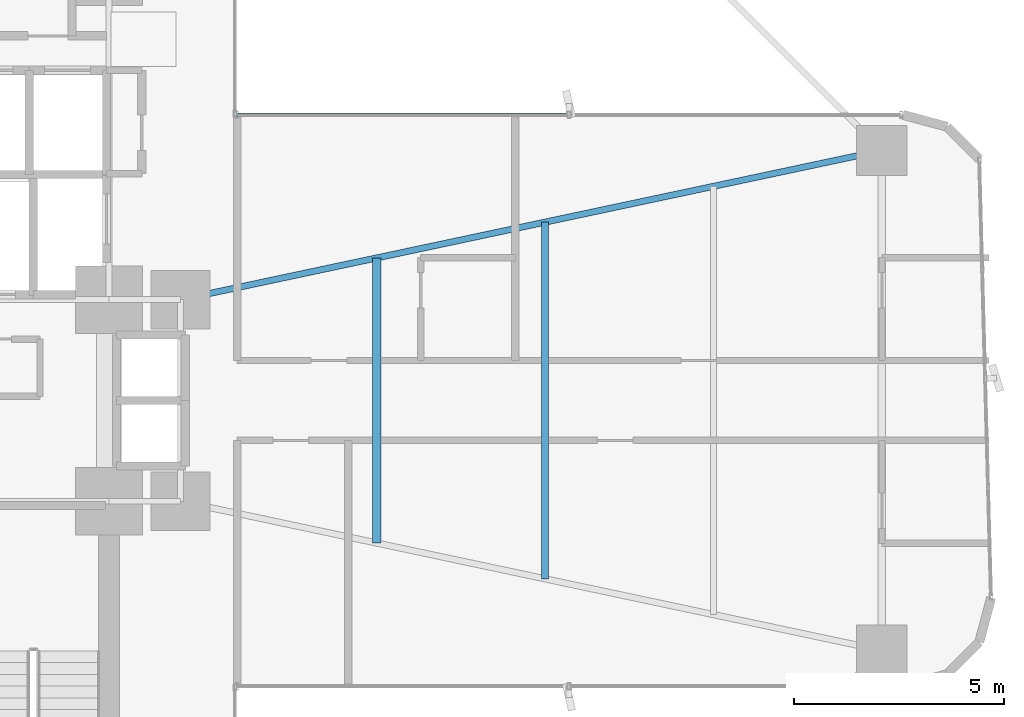
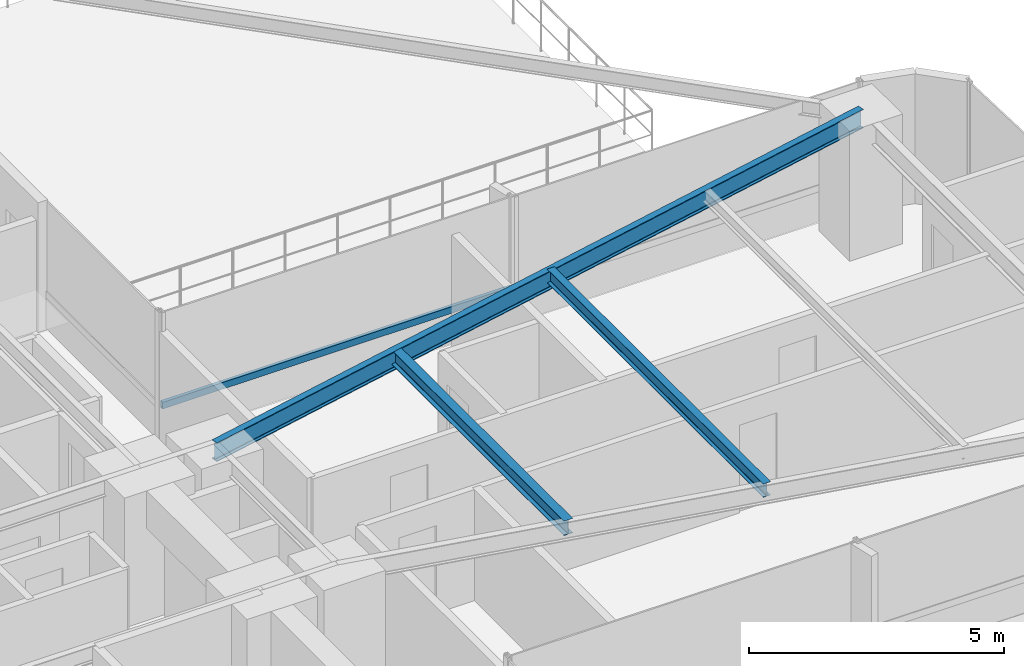
# One storey, part 14 of 27: 3 beams, 1 member, 1 element without a shape of its own.
"""IFC4 building model written with IfcOpenShell, lengths in metres."""

import ifcopenshell
import ifcopenshell.guid

model = None  # the IFC model being written
_history = None  # IfcOwnerHistory: only IFC2X3 demands one
_inside = {}  # id of a spatial element -> (the spatial element, [elements in it])
_under = {}  # id of a project, library or spatial element -> (it, [spatial elements below it])
_declared = {}  # id of a project -> (the project, [libraries it declares])
_typed = {}  # id of a type object -> (the type object, [elements of that type])
_made_of = {}  # id of a material, layer set ... -> (it, [elements and type objects made of it])


def new_model(schema):
    """Start an empty IFC model of exactly this schema.

    Asked for "IFC4X3", IfcOpenShell would pick the latest addendum, in which some entities
    have other attributes; the version numbers below select the first issue.
    IFC2X3 requires an IfcOwnerHistory on every rooted entity: one is made here for all.
    """
    global model, _history
    if schema == "IFC4X3":
        model = ifcopenshell.file(schema_version=(4, 3, 0, 0))
    else:
        model = ifcopenshell.file(schema=schema)
    _inside.clear()
    _under.clear()
    _declared.clear()
    _typed.clear()
    _made_of.clear()
    _history = None
    if model.schema == "IFC2X3":
        org = make("IfcOrganization", Name="unknown")
        user = make(
            "IfcPersonAndOrganization",
            ThePerson=make("IfcPerson", FamilyName="unknown"),
            TheOrganization=org,
        )
        app = make(
            "IfcApplication",
            ApplicationDeveloper=org,
            Version="unknown",
            ApplicationFullName="unknown",
            ApplicationIdentifier="unknown",
        )
        _history = make(
            "IfcOwnerHistory",
            OwningUser=user,
            OwningApplication=app,
            ChangeAction="ADDED",
            CreationDate=0,
        )
    return model


def make(cls, **values):
    """One entity of the class cls with the attributes given. An attribute that is None is left unset."""
    return model.create_entity(
        cls, **{name: value for name, value in values.items() if value is not None}
    )


def rooted(cls, **values):
    """An entity with a GlobalId (a new one), such as an element, a storey or a relation."""
    return make(cls, GlobalId=ifcopenshell.guid.new(), OwnerHistory=_history, **values)


def si_unit(unit_type, name, prefix=None):
    """IfcSIUnit, for example si_unit("LENGTHUNIT", "METRE", prefix="MILLI")."""
    return make("IfcSIUnit", UnitType=unit_type, Prefix=prefix, Name=name)


def assignment(units):
    """IfcUnitAssignment: the units of a project."""
    return None if units is None else make("IfcUnitAssignment", Units=units)


def point(xyz):
    """IfcCartesianPoint."""
    return None if xyz is None else make("IfcCartesianPoint", Coordinates=xyz)


def direction(xyz):
    """IfcDirection."""
    return None if xyz is None else make("IfcDirection", DirectionRatios=xyz)


def frame(location, z_axis=None, x_axis=None):
    """IfcAxis2Placement3D, a coordinate frame: its origin and axes. An axis left out is left unset."""
    return make(
        "IfcAxis2Placement3D",
        Location=point(location),
        Axis=direction(z_axis),
        RefDirection=direction(x_axis),
    )


def frame_2d(location, x_axis=None):
    """IfcAxis2Placement2D, a coordinate frame in the plane: its origin and x axis."""
    return make(
        "IfcAxis2Placement2D", Location=point(location), RefDirection=direction(x_axis)
    )


def origin():
    """The frame at (0, 0, 0) with its axes left unset."""
    return frame((0.0, 0.0, 0.0))


def origin_2d():
    """The frame at (0, 0) in the plane with its x axis left unset."""
    return frame_2d((0.0, 0.0))


def place(relative_to, where):
    """IfcLocalPlacement: puts the frame where relative to a parent placement (None: the world)."""
    return make(
        "IfcLocalPlacement", PlacementRelTo=relative_to, RelativePlacement=where
    )


def context(
    kind, dimensions, precision=None, world=None, true_north=None, identifier=None
):
    """IfcGeometricRepresentationContext, for example the 3D "Model" context."""
    return make(
        "IfcGeometricRepresentationContext",
        ContextIdentifier=identifier,
        ContextType=kind,
        CoordinateSpaceDimension=dimensions,
        Precision=precision,
        WorldCoordinateSystem=world,
        TrueNorth=true_north,
    )


def subcontext(parent, identifier, kind, view, scale=None):
    """IfcGeometricRepresentationSubContext, for example "Body" below "Model"."""
    return make(
        "IfcGeometricRepresentationSubContext",
        ContextIdentifier=identifier,
        ContextType=kind,
        ParentContext=parent,
        TargetScale=scale,
        TargetView=view,
    )


def project(units=None, contexts=None):
    """IfcProject with its units and contexts."""
    return rooted(
        "IfcProject",
        Name="project",
        RepresentationContexts=contexts,
        UnitsInContext=assignment(units),
    )


def spatial(cls, under=None, at=None, **own):
    """A site, building, storey or space (cls), placed at a placement, below another one or the project."""
    s = rooted(cls, ObjectPlacement=at, **own)
    if under is not None:
        _under.setdefault(under.id(), (under, []))[1].append(s)
    return s


def profile(cls, at=None, kind="AREA", **sizes):
    """A parametric profile (cls). Its sizes go by their IFC names, for example OverallWidth=200.0."""
    return make(cls, ProfileType=kind, Position=at, **sizes)


def hollow_rectangle(**sizes):
    """IfcRectangleHollowProfileDef."""
    return profile("IfcRectangleHollowProfileDef", **sizes)


def i_section(**sizes):
    """IfcIShapeProfileDef."""
    return profile("IfcIShapeProfileDef", **sizes)


def extrude(swept, where, along, depth):
    """IfcExtrudedAreaSolid: the profile swept, set in the frame where, extruded along a direction by depth."""
    return make(
        "IfcExtrudedAreaSolid",
        SweptArea=swept,
        Position=where,
        ExtrudedDirection=direction(along),
        Depth=depth,
    )


def shape(context_of_items, identifier, shape_type, items):
    """IfcShapeRepresentation: the items that make up one representation, for example the "Body"."""
    return make(
        "IfcShapeRepresentation",
        ContextOfItems=context_of_items,
        RepresentationIdentifier=identifier,
        RepresentationType=shape_type,
        Items=items,
    )


def source(mapping_origin, context_of_items, identifier, shape_type, items):
    """IfcRepresentationMap: a shape defined once, which mapped items show again and again."""
    return make(
        "IfcRepresentationMap",
        MappingOrigin=mapping_origin,
        MappedRepresentation=shape(context_of_items, identifier, shape_type, items),
    )


def transform(
    local_origin,
    x_axis=None,
    y_axis=None,
    z_axis=None,
    scale=None,
    scale2=None,
    scale3=None,
    uniform=True,
):
    """IfcCartesianTransformationOperator3D, or its non-uniform kind. x_axis, y_axis, z_axis: its Axis1, 2, 3."""
    if uniform:
        return make(
            "IfcCartesianTransformationOperator3D",
            Axis1=direction(x_axis),
            Axis2=direction(y_axis),
            LocalOrigin=point(local_origin),
            Scale=scale,
            Axis3=direction(z_axis),
        )
    return make(
        "IfcCartesianTransformationOperator3DnonUniform",
        Axis1=direction(x_axis),
        Axis2=direction(y_axis),
        LocalOrigin=point(local_origin),
        Scale=scale,
        Axis3=direction(z_axis),
        Scale2=scale2,
        Scale3=scale3,
    )


def mapped(mapping_source, mapping_target):
    """IfcMappedItem: shows the shape of a source again, moved by a transform."""
    return make(
        "IfcMappedItem", MappingSource=mapping_source, MappingTarget=mapping_target
    )


def material(Name=None, Category=None):
    """IfcMaterial."""
    return make("IfcMaterial", Name=Name, Category=Category)


def material_profile(
    of_material, cross_section, Name=None, Category=None, Priority=None
):
    """IfcMaterialProfile: a cross section and its material."""
    return make(
        "IfcMaterialProfile",
        Name=Name,
        Material=of_material,
        Profile=cross_section,
        Priority=Priority,
        Category=Category,
    )


def profile_set(profiles, Name=None, composite=None):
    """IfcMaterialProfileSet."""
    return make(
        "IfcMaterialProfileSet",
        Name=Name,
        MaterialProfiles=profiles,
        CompositeProfile=composite,
    )


def made_of(thing, what):
    """Note that an element or type object is made of a material, layer set ...; save() writes the relation."""
    if what is not None:
        _made_of.setdefault(what.id(), (what, []))[1].append(thing)
    return thing


def type_object(cls, material=None, **own):
    """A type object (cls), such as IfcWallType, which elements share."""
    return made_of(rooted(cls, **own), material)


def element(
    cls,
    number,
    at=None,
    inside=None,
    cuts=None,
    type_object=None,
    material=None,
    context=None,
    identifier="Body",
    shape_type=None,
    held_by="IfcProductDefinitionShape",
    body=None,
    shapes=None,
    **own,
):
    """One element of the class cls, such as IfcWall. Its Tag is "e" and its number.

    at: its placement. inside: the storey or other place that contains it. cuts: it is an
    opening in that element (IfcRelVoidsElement). A single representation is given by context,
    identifier, shape_type and body (its items); several are given by shapes. held_by: the class
    of the entity that holds the representations. save() writes the other relations.
    """
    e = rooted(cls, Tag="e%d" % number, ObjectPlacement=at, **own)
    if body is not None:
        shapes = [shape(context, identifier, shape_type, body)]
    if shapes is not None:
        e.Representation = make(held_by, Representations=shapes)
    if inside is not None:
        _inside.setdefault(inside.id(), (inside, []))[1].append(e)
    if cuts is not None:
        rooted(
            "IfcRelVoidsElement", RelatingBuildingElement=cuts, RelatedOpeningElement=e
        )
    if type_object is not None:
        _typed.setdefault(type_object.id(), (type_object, []))[1].append(e)
    return made_of(e, material)


def aggregate(whole, parts):
    """IfcRelAggregates: a whole, such as a stair, and the parts it consists of."""
    return rooted("IfcRelAggregates", RelatingObject=whole, RelatedObjects=parts)


def save(model, path):
    """Write the relations noted so far, then the file.

    IfcRelAggregates (storeys below a building ...), IfcRelContainedInSpatialStructure (elements
    in a storey), IfcRelDefinesByType, IfcRelAssociatesMaterial and IfcRelDeclares: one each for
    every whole, place, type object, material and project.
    """
    for whole, parts in _under.values():
        aggregate(whole, parts)
    for where, things in _inside.values():
        rooted(
            "IfcRelContainedInSpatialStructure",
            RelatedElements=things,
            RelatingStructure=where,
        )
    for kind, things in _typed.values():
        rooted("IfcRelDefinesByType", RelatedObjects=things, RelatingType=kind)
    for what, things in _made_of.values():
        rooted("IfcRelAssociatesMaterial", RelatedObjects=things, RelatingMaterial=what)
    for by, libraries in _declared.values():
        rooted("IfcRelDeclares", RelatingContext=by, RelatedDefinitions=libraries)
    model.write(path)


model = new_model("IFC4")

# Units and contexts
model_context = context("Model", 3, precision=1e-05, world=origin(), true_north=direction((0.0, 1.0)))
body_context = subcontext(model_context, "Body", "Model", "MODEL_VIEW")
ifc_project = project(units=[si_unit("LENGTHUNIT", "METRE"), si_unit("AREAUNIT", "SQUARE_METRE"), si_unit("VOLUMEUNIT", "CUBIC_METRE"), si_unit("PLANEANGLEUNIT", "RADIAN"), si_unit("MASSUNIT", "GRAM", prefix="KILO")], contexts=[model_context])

# Site, building, storey
site_placement = place(None, origin())
site = spatial("IfcSite", under=ifc_project, at=site_placement, CompositionType="ELEMENT")
building_placement = place(site_placement, origin())
building = spatial("IfcBuilding", under=site, at=building_placement, Name="Sahyath Konkavel Grand Hotel", CompositionType="ELEMENT")
storey_placement = place(building_placement, frame((0.0, 0.0, 23.10009765625)))
storey = spatial("IfcBuildingStorey", under=building, at=storey_placement, Name="L05", CompositionType="ELEMENT", Elevation=23.10009765625)

# Beams
ifc_material_1 = material(Name="Steel E350", Category="steel")
ifc_material_profile_1 = material_profile(ifc_material_1, i_section(OverallWidth=0.14990234375, OverallDepth=0.449951171875, WebThickness=0.009521484375, FlangeThickness=0.017333984375, FilletRadius=0.014892578125, at=origin_2d()), Name="ISMB 450")
ifc_profile_set_1 = profile_set([ifc_material_profile_1], Name="Steel E350")
beam_type_1 = type_object("IfcBeamType", Name="BM-ISMB450", PredefinedType="BEAM", material=ifc_profile_set_1)
shared_shape_1 = source(origin(), body_context, "Body", "SweptSolid", [
    extrude(i_section(OverallWidth=0.14990234375, OverallDepth=0.449951171875, WebThickness=0.009521484375, FlangeThickness=0.017333984375, FilletRadius=0.014892578125, at=origin_2d()), origin(), (0.0, 0.0, 1.0), 17.072998046875),
])
beam_1_placement = place(storey_placement, frame((5.5, 2.39990234375, 2.885009765625), z_axis=(0.978143257225, 0.20793212437, 0.0), x_axis=(-0.20793212437, 0.978143257225, 0.0)))
element("IfcBeam", 1, at=beam_1_placement, inside=storey, type_object=beam_type_1, Name="L05 Cruciform Radial Girder EB", PredefinedType="BEAM", context=body_context, shape_type="MappedRepresentation", body=[
    mapped(shared_shape_1, transform((0.0, 0.0, 0.0), scale=1.0)),
])
ifc_material_profile_2 = material_profile(ifc_material_1, i_section(OverallWidth=0.199951171875, OverallDepth=0.35009765625, WebThickness=0.008056640625, FlangeThickness=0.011474609375, FilletRadius=0.013916015625, at=origin_2d()), Name="ISWB 350")
ifc_profile_set_2 = profile_set([ifc_material_profile_2], Name="Steel E350")
beam_type_2 = type_object("IfcBeamType", Name="BM-ISWB350", PredefinedType="BEAM", material=ifc_profile_set_2)
shared_shape_2 = source(origin(), body_context, "Body", "SweptSolid", [
    extrude(i_section(OverallWidth=0.199951171875, OverallDepth=0.35009765625, WebThickness=0.008056640625, FlangeThickness=0.011474609375, FilletRadius=0.013916015625, at=origin_2d()), origin(), (0.0, 0.0, 1.0), 6.7880859375),
])
beam_2_placement = place(storey_placement, frame((10.176025390625, -3.39404296875, 2.934814453125), z_axis=(0.0, 1.0, 0.0), x_axis=(-1.0, 0.0, 0.0)))
element("IfcBeam", 2, at=beam_2_placement, inside=storey, type_object=beam_type_2, Name="L05 Secondary Floor Beam E-1", PredefinedType="BEAM", context=body_context, shape_type="MappedRepresentation", body=[
    mapped(shared_shape_2, transform((0.0, 0.0, 0.0), scale=1.0)),
])
ifc_material_profile_3 = material_profile(ifc_material_1, i_section(OverallWidth=0.1650390625, OverallDepth=0.324951171875, WebThickness=0.007080078125, FlangeThickness=0.009765625, FilletRadius=0.014892578125, at=origin_2d()), Name="ISLB 325")
ifc_profile_set_3 = profile_set([ifc_material_profile_3], Name="Steel E350")
beam_type_3 = type_object("IfcBeamType", Name="BM-ISLB325", PredefinedType="BEAM", material=ifc_profile_set_3)
shared_shape_3 = source(origin(), body_context, "Body", "SweptSolid", [
    extrude(i_section(OverallWidth=0.1650390625, OverallDepth=0.324951171875, WebThickness=0.007080078125, FlangeThickness=0.009765625, FilletRadius=0.014892578125, at=origin_2d()), origin(), (0.0, 0.0, 1.0), 8.4921875),
])
beam_3_placement = place(storey_placement, frame((14.18408203125, -4.24609375, 2.947509765625), z_axis=(0.0, 1.0, 0.0), x_axis=(-1.0, 0.0, 0.0)))
element("IfcBeam", 3, at=beam_3_placement, inside=storey, type_object=beam_type_3, Name="L05 Secondary Floor Beam E-2", PredefinedType="BEAM", context=body_context, shape_type="MappedRepresentation", body=[
    mapped(shared_shape_3, transform((0.0, 0.0, 0.0), scale=1.0)),
])

# Curtain wall, member
ifc_material_2 = material(Name="Anodised Bronze Aluminium & Low-E Glazing", Category="aluminium")
curtain_wall_type = type_object("IfcCurtainWallType", Name="CW-ZONE1", PredefinedType="NOTDEFINED", material=ifc_material_2)
curtain_wall_placement = place(storey_placement, origin())
curtain_wall = element("IfcCurtainWall", 4, at=curtain_wall_placement, inside=storey, type_object=curtain_wall_type, Name="L05 Unitised Curtain Wall F7", PredefinedType="NOTDEFINED")
ifc_material_3 = material(Name="Anodised Bronze Aluminium", Category="aluminium")
ifc_material_profile_4 = material_profile(ifc_material_3, hollow_rectangle(XDim=0.080078125, YDim=0.159912109375, WallThickness=0.006103515625, at=origin_2d()), Name="RHS 160x80x6")
ifc_profile_set_4 = profile_set([ifc_material_profile_4], Name="Anodised Bronze Aluminium")
member_type = type_object("IfcMemberType", Name="CW-TRN-160", PredefinedType="USERDEFINED", material=ifc_profile_set_4)
shared_shape_4 = source(origin(), body_context, "Body", "SweptSolid", [
    extrude(hollow_rectangle(XDim=0.080078125, YDim=0.159912109375, WallThickness=0.006103515625, at=origin_2d()), origin(), (0.0, 0.0, 1.0), 7.909912109375),
])
member_placement = place(storey_placement, frame((14.75, 6.800048828125, 0.849853515625), z_axis=(-1.0, 0.0, 0.0), x_axis=(0.0, -1.0, 0.0)))
member = element("IfcMember", 5, at=member_placement, type_object=member_type, Name="L05 Curtain Wall Transom F7-1-spandrel", ObjectType="TRANSOM", PredefinedType="USERDEFINED", context=body_context, shape_type="MappedRepresentation", body=[
    mapped(shared_shape_4, transform((0.0, 0.0, 0.0), scale=1.0)),
])
aggregate(curtain_wall, [member])

save(model, "model.ifc")
